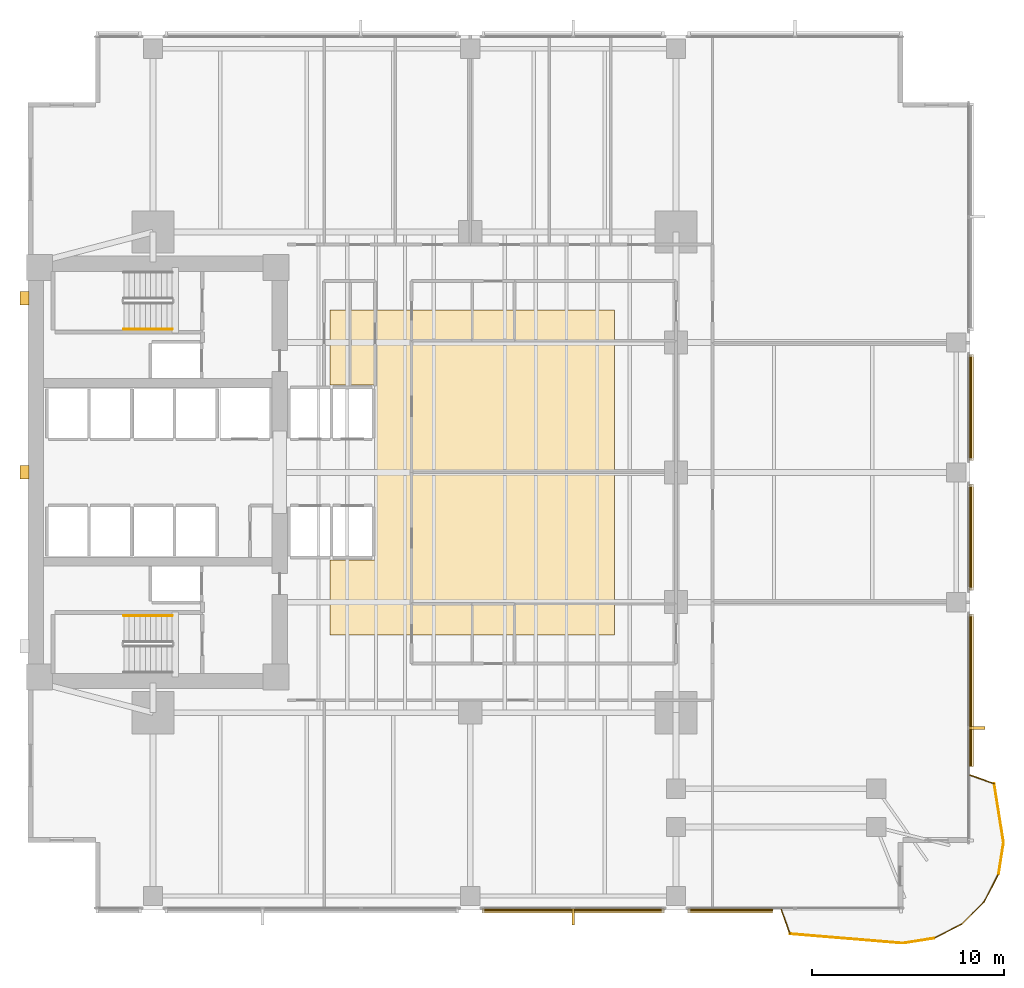
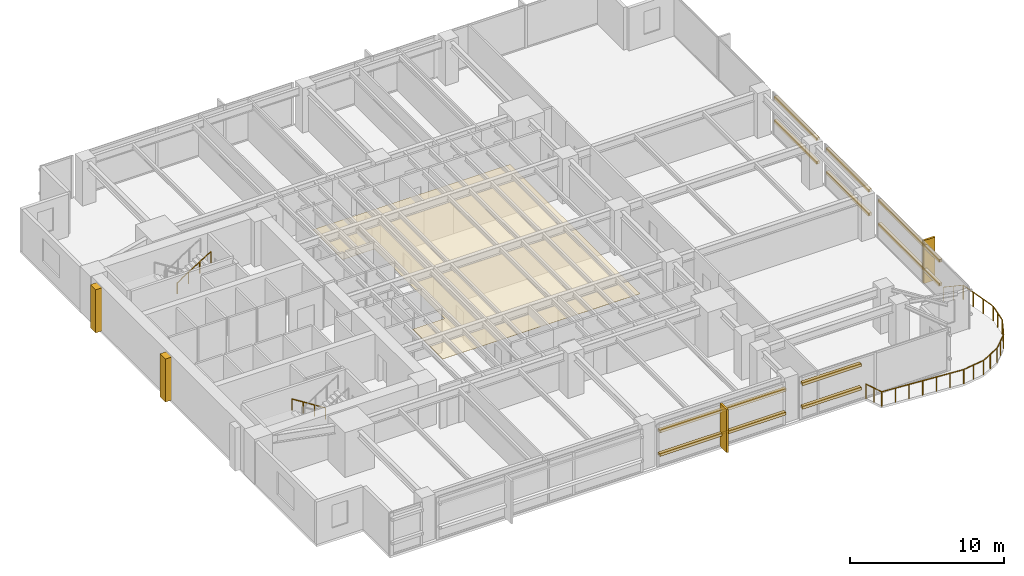
# One storey, part 13 of 15: 15 coverings, 11 railings, 10 shading devices.
"""IFC4 building model written with IfcOpenShell, lengths in metres."""

from ifc_helpers import new_model, si_unit, direction, frame, origin, origin_2d, place, context, subcontext, project, spatial, polyline, rectangle, circle, outline, extrude, material, layer, layer_set, material_profile, profile_set, type_object, element, save


model = new_model("IFC4")

# Units and contexts
model_context = context("Model", 3, precision=1e-05, world=origin(), true_north=direction((0.0, 1.0)))
body_context = subcontext(model_context, "Body", "Model", "MODEL_VIEW")
ifc_project = project(units=[si_unit("LENGTHUNIT", "METRE"), si_unit("AREAUNIT", "SQUARE_METRE"), si_unit("VOLUMEUNIT", "CUBIC_METRE"), si_unit("PLANEANGLEUNIT", "RADIAN"), si_unit("MASSUNIT", "GRAM", prefix="KILO")], contexts=[model_context])

# Site, building, storey
site_placement = place(None, origin())
site = spatial("IfcSite", under=ifc_project, at=site_placement, CompositionType="ELEMENT")
building_placement = place(site_placement, origin())
building = spatial("IfcBuilding", under=site, at=building_placement, Name="Kinhvarn Gate Tower", CompositionType="ELEMENT")
storey_placement = place(building_placement, frame((0.0, 0.0, 54.0)))
storey = spatial("IfcBuildingStorey", under=building, at=storey_placement, Name="L13", CompositionType="ELEMENT", Elevation=54.0)

# Coverings
ifc_material_1 = material(Name="Fired architectural terracotta", Category="masonry")
ifc_layer_1 = layer(ifc_material_1, 0.239990234375)
ifc_layer_set_1 = layer_set([ifc_layer_1], Name="Fired architectural terracotta")
covering_type_1 = type_object("IfcCoveringType", Name="COV-BAG-220", PredefinedType="CLADDING", material=ifc_layer_set_1)
for number, where, name in (
    (1, (0.0, 0.0, 0.93994140625), "Terracotta Horizontal Sunscreen Band TBG-220 (L13)"),
    (2, (0.0, 0.0, 2.81005859375), "Terracotta Horizontal Sunscreen Band TBG-220 (L13)"),
):
    element("IfcCovering", number, at=place(storey_placement, frame(where)), inside=storey, type_object=covering_type_1, Name=name, PredefinedType="CLADDING", context=body_context, shape_type="SweptSolid", body=[
        extrude(outline(polyline([(28.1201171875, 2.56005859375), (37.580078125, 2.56005859375), (37.580078125, 2.320068359375), (28.1201171875, 2.320068359375), (28.1201171875, 2.56005859375)])), origin(), (0.0, 0.0, 1.0), 0.219970703125),
    ])
for number, where, name in (
    (3, (0.0, 0.0, 0.93994140625), "Terracotta Horizontal Sunscreen Band TBG-220 (L13)"),
    (4, (0.0, 0.0, 2.81005859375), "Terracotta Horizontal Sunscreen Band TBG-220 (L13)"),
):
    element("IfcCovering", number, at=place(storey_placement, frame(where)), inside=storey, type_object=covering_type_1, Name=name, PredefinedType="CLADDING", context=body_context, shape_type="SweptSolid", body=[
        extrude(outline(polyline([(38.820068359375, 2.56005859375), (43.22900390625, 2.56005859375), (43.22900390625, 2.320068359375), (38.820068359375, 2.320068359375), (38.820068359375, 2.56005859375)])), origin(), (0.0, 0.0, 1.0), 0.219970703125),
    ])
for number, where, name in (
    (5, (0.0, 0.0, 0.93994140625), "Terracotta Horizontal Sunscreen Band TBG-220 (L13)"),
    (6, (0.0, 0.0, 2.81005859375), "Terracotta Horizontal Sunscreen Band TBG-220 (L13)"),
):
    element("IfcCovering", number, at=place(storey_placement, frame(where)), inside=storey, type_object=covering_type_1, Name=name, PredefinedType="CLADDING", context=body_context, shape_type="SweptSolid", body=[
        extrude(outline(polyline([(53.43994140625, 9.955078125), (53.43994140625, 17.8798828125), (53.679931640625, 17.8798828125), (53.679931640625, 9.955078125), (53.43994140625, 9.955078125)])), origin(), (0.0, 0.0, 1.0), 0.219970703125),
    ])
for number, where, name in (
    (7, (0.0, 0.0, 0.93994140625), "Terracotta Horizontal Sunscreen Band TBG-220 (L13)"),
    (8, (0.0, 0.0, 2.81005859375), "Terracotta Horizontal Sunscreen Band TBG-220 (L13)"),
):
    element("IfcCovering", number, at=place(storey_placement, frame(where)), inside=storey, type_object=covering_type_1, Name=name, PredefinedType="CLADDING", context=body_context, shape_type="SweptSolid", body=[
        extrude(outline(polyline([(53.43994140625, 19.1201171875), (53.43994140625, 24.6298828125), (53.679931640625, 24.6298828125), (53.679931640625, 19.1201171875), (53.43994140625, 19.1201171875)])), origin(), (0.0, 0.0, 1.0), 0.219970703125),
    ])
for number, where, name in (
    (9, (0.0, 0.0, 0.93994140625), "Terracotta Horizontal Sunscreen Band TBG-220 (L13)"),
    (10, (0.0, 0.0, 2.81005859375), "Terracotta Horizontal Sunscreen Band TBG-220 (L13)"),
):
    element("IfcCovering", number, at=place(storey_placement, frame(where)), inside=storey, type_object=covering_type_1, Name=name, PredefinedType="CLADDING", context=body_context, shape_type="SweptSolid", body=[
        extrude(outline(polyline([(53.43994140625, 25.8701171875), (53.43994140625, 31.3798828125), (53.679931640625, 31.3798828125), (53.679931640625, 25.8701171875), (53.43994140625, 25.8701171875)])), origin(), (0.0, 0.0, 1.0), 0.219970703125),
    ])
ifc_material_2 = material(Name="Mineral-fibre acoustic ceiling tile")
ifc_layer_2 = layer(ifc_material_2, 0.02001953125)
ifc_layer_set_2 = layer_set([ifc_layer_2], Name="Mineral-fibre acoustic ceiling tile")
covering_type_2 = type_object("IfcCoveringType", Name="COV-CEIL-20", PredefinedType="CEILING", material=ifc_layer_set_2)
covering_1_placement = place(storey_placement, frame((0.0, 0.0, 2.64990234375)))
element("IfcCovering", 11, at=covering_1_placement, inside=storey, type_object=covering_type_2, Name="Suspended Acoustic Ceiling Tile (L13-1)", PredefinedType="CEILING", context=body_context, shape_type="SweptSolid", body=[
    extrude(outline(polyline([(35.0, 33.699951171875), (35.0, 16.800048828125), (20.199951171875, 16.800048828125), (20.199951171875, 20.699951171875), (22.60009765625, 20.699951171875), (22.60009765625, 29.800048828125), (20.199951171875, 29.800048828125), (20.199951171875, 33.699951171875), (35.0, 33.699951171875)])), origin(), (0.0, 0.0, 1.0), 0.02001953125),
])
ifc_layer_3 = layer(ifc_material_1, 0.139892578125)
ifc_layer_set_3 = layer_set([ifc_layer_3], Name="Fired architectural terracotta")
covering_type_3 = type_object("IfcCoveringType", Name="COV-FIN-850", PredefinedType="CLADDING", material=ifc_layer_set_3)
covering_2_placement = place(storey_placement, frame((0.0, 0.0, -0.02001953125)))
element("IfcCovering", 12, at=covering_2_placement, inside=storey, type_object=covering_type_3, Name="Vertical Terracotta Expressive Fin TFN-850 (L13)", PredefinedType="CLADDING", context=body_context, shape_type="SweptSolid", body=[
    extrude(outline(polyline([(32.780029296875, 2.570068359375), (32.919921875, 2.570068359375), (32.919921875, 1.719970703125), (32.780029296875, 1.719970703125), (32.780029296875, 2.570068359375)])), origin(), (0.0, 0.0, 1.0), 3.409912109375),
])
covering_3_placement = place(storey_placement, frame((0.0, 0.0, -0.02001953125)))
element("IfcCovering", 13, at=covering_3_placement, inside=storey, type_object=covering_type_3, Name="Vertical Terracotta Expressive Fin TFN-850 (L13)", PredefinedType="CLADDING", context=body_context, shape_type="SweptSolid", body=[
    extrude(outline(polyline([(53.429931640625, 11.889892578125), (53.429931640625, 12.030029296875), (54.280029296875, 12.030029296875), (54.280029296875, 11.889892578125), (53.429931640625, 11.889892578125)])), origin(), (0.0, 0.0, 1.0), 3.409912109375),
])
ifc_material_3 = material(Name="Precast white architectural concrete C40/50", Category="concrete")
ifc_layer_4 = layer(ifc_material_3, 0.47998046875)
ifc_layer_set_4 = layer_set([ifc_layer_4], Name="Precast white architectural concrete C40/50")
covering_type_4 = type_object("IfcCoveringType", Name="COV-RIB-450", PredefinedType="CLADDING", material=ifc_layer_set_4)
covering_4_placement = place(storey_placement, frame((0.0, 0.0, -0.02001953125)))
element("IfcCovering", 14, at=covering_4_placement, inside=storey, type_object=covering_type_4, Name="West Core Sculptural Concrete Relief Rib CRB-450 (L13)", PredefinedType="CLADDING", context=body_context, shape_type="SweptSolid", body=[
    extrude(outline(polyline([(4.080078125, 24.89990234375), (4.56005859375, 24.89990234375), (4.56005859375, 25.60009765625), (4.080078125, 25.60009765625), (4.080078125, 24.89990234375)])), origin(), (0.0, 0.0, 1.0), 3.409912109375),
])
covering_5_placement = place(storey_placement, frame((0.0, 0.0, -0.02001953125)))
element("IfcCovering", 15, at=covering_5_placement, inside=storey, type_object=covering_type_4, Name="West Core Sculptural Concrete Relief Rib CRB-450 (L13)", PredefinedType="CLADDING", context=body_context, shape_type="SweptSolid", body=[
    extrude(outline(polyline([(4.080078125, 33.949951171875), (4.56005859375, 33.949951171875), (4.56005859375, 34.64990234375), (4.080078125, 34.64990234375), (4.080078125, 33.949951171875)])), origin(), (0.0, 0.0, 1.0), 3.409912109375),
])

# Railings
ifc_material_4 = material(Name="Clear low-e double glazing", Category="glass")
railing_type_1 = type_object("IfcRailingType", Name="RL-BAL-1150", PredefinedType="BALUSTRADE", material=ifc_material_4)
railing_1_placement = place(storey_placement, frame((43.678955078125, 2.5, 0.0)))
element("IfcRailing", 16, at=railing_1_placement, inside=storey, type_object=railing_type_1, Name="S-Carve Balcony Guardrail Seg 1 (L13)", PredefinedType="BALUSTRADE", context=body_context, shape_type="SweptSolid", body=[
    extrude(circle(Radius=0.02392578125, at=origin_2d()), frame((0.0, 0.0, 1.1259765625), z_axis=(0.338569845219, -0.94094126273, 0.0), x_axis=(0.94094126273, 0.338569845219, 0.0)), (0.0, 0.0, 1.0), 1.328857421875),
    extrude(circle(Radius=0.02099609375, at=origin_2d()), origin(), (0.0, 0.0, 1.0), 1.101806640625),
    extrude(circle(Radius=0.02099609375, at=origin_2d()), frame((0.22509765625, -0.625244140625, 0.0)), (0.0, 0.0, 1.0), 1.101806640625),
    extrude(circle(Radius=0.02099609375, at=origin_2d()), frame((0.449951171875, -1.25048828125, 0.0)), (0.0, 0.0, 1.0), 1.101806640625),
])
railing_2_placement = place(storey_placement, frame((44.12890625, 1.24951171875, 0.0)))
element("IfcRailing", 17, at=railing_2_placement, inside=storey, type_object=railing_type_1, Name="S-Carve Balcony Guardrail Seg 2 (L13)", PredefinedType="BALUSTRADE", context=body_context, shape_type="SweptSolid", body=[
    extrude(circle(Radius=0.02392578125, at=origin_2d()), frame((0.0, 0.0, 1.1259765625), z_axis=(0.996583381402, -0.082592759445, 0.0), x_axis=(0.082592759445, 0.996583381402, 0.0)), (0.0, 0.0, 1.0), 5.89111328125),
    extrude(circle(Radius=0.02099609375, at=origin_2d()), origin(), (0.0, 0.0, 1.0), 1.101806640625),
    extrude(circle(Radius=0.02099609375, at=origin_2d()), frame((0.978515625, -0.0810546875, 0.0)), (0.0, 0.0, 1.0), 1.101806640625),
    extrude(circle(Radius=0.02099609375, at=origin_2d()), frame((1.95703125, -0.162109375, 0.0)), (0.0, 0.0, 1.0), 1.101806640625),
    extrude(circle(Radius=0.02099609375, at=origin_2d()), frame((2.935546875, -0.2431640625, 0.0)), (0.0, 0.0, 1.0), 1.101806640625),
    extrude(circle(Radius=0.02099609375, at=origin_2d()), frame((3.9140625, -0.324462890625, 0.0)), (0.0, 0.0, 1.0), 1.101806640625),
    extrude(circle(Radius=0.02099609375, at=origin_2d()), frame((4.892578125, -0.405517578125, 0.0)), (0.0, 0.0, 1.0), 1.101806640625),
    extrude(circle(Radius=0.02099609375, at=origin_2d()), frame((5.87109375, -0.486572265625, 0.0)), (0.0, 0.0, 1.0), 1.101806640625),
])
railing_3_placement = place(storey_placement, frame((50.0, 0.762939453125, 0.0)))
element("IfcRailing", 18, at=railing_3_placement, inside=storey, type_object=railing_type_1, Name="S-Carve Balcony Guardrail Seg 3 (L13)", PredefinedType="BALUSTRADE", context=body_context, shape_type="SweptSolid", body=[
    extrude(circle(Radius=0.02392578125, at=origin_2d()), frame((0.0, 0.0, 1.1259765625), z_axis=(0.987686739548, 0.156444573318, 0.0), x_axis=(-0.156444573318, 0.987686739548, 0.0)), (0.0, 0.0, 1.0), 1.638671875),
    extrude(circle(Radius=0.02099609375, at=origin_2d()), origin(), (0.0, 0.0, 1.0), 1.101806640625),
    extrude(circle(Radius=0.02099609375, at=origin_2d()), frame((0.80908203125, 0.128173828125, 0.0)), (0.0, 0.0, 1.0), 1.101806640625),
    extrude(circle(Radius=0.02099609375, at=origin_2d()), frame((1.618408203125, 0.25634765625, 0.0)), (0.0, 0.0, 1.0), 1.101806640625),
])
railing_4_placement = place(storey_placement, frame((51.618408203125, 1.019287109375, 0.0)))
element("IfcRailing", 19, at=railing_4_placement, inside=storey, type_object=railing_type_1, Name="S-Carve Balcony Guardrail Seg 4 (L13)", PredefinedType="BALUSTRADE", context=body_context, shape_type="SweptSolid", body=[
    extrude(circle(Radius=0.02392578125, at=origin_2d()), frame((0.0, 0.0, 1.1259765625), z_axis=(0.890973529043, 0.454055250542, 0.0), x_axis=(-0.454055250542, 0.890973529043, 0.0)), (0.0, 0.0, 1.0), 1.638427734375),
    extrude(circle(Radius=0.02099609375, at=origin_2d()), origin(), (0.0, 0.0, 1.0), 1.101806640625),
    extrude(circle(Radius=0.02099609375, at=origin_2d()), frame((0.72998046875, 0.3720703125, 0.0)), (0.0, 0.0, 1.0), 1.101806640625),
    extrude(circle(Radius=0.02099609375, at=origin_2d()), frame((1.459716796875, 0.743896484375, 0.0)), (0.0, 0.0, 1.0), 1.101806640625),
])
railing_5_placement = place(storey_placement, frame((53.078125, 1.76318359375, 0.0)))
element("IfcRailing", 20, at=railing_5_placement, inside=storey, type_object=railing_type_1, Name="S-Carve Balcony Guardrail Seg 5 (L13)", PredefinedType="BALUSTRADE", context=body_context, shape_type="SweptSolid", body=[
    extrude(circle(Radius=0.02392578125, at=origin_2d()), frame((0.0, 0.0, 1.1259765625), z_axis=(0.707106781187, 0.707106781187, 0.0), x_axis=(-0.707106781187, 0.707106781187, 0.0)), (0.0, 0.0, 1.0), 1.638671875),
    extrude(circle(Radius=0.02099609375, at=origin_2d()), origin(), (0.0, 0.0, 1.0), 1.101806640625),
    extrude(circle(Radius=0.02099609375, at=origin_2d()), frame((0.579345703125, 0.579345703125, 0.0)), (0.0, 0.0, 1.0), 1.101806640625),
    extrude(circle(Radius=0.02099609375, at=origin_2d()), frame((1.15869140625, 1.15869140625, 0.0)), (0.0, 0.0, 1.0), 1.101806640625),
])
railing_6_placement = place(storey_placement, frame((54.23681640625, 2.921875, 0.0)))
element("IfcRailing", 21, at=railing_6_placement, inside=storey, type_object=railing_type_1, Name="S-Carve Balcony Guardrail Seg 6 (L13)", PredefinedType="BALUSTRADE", context=body_context, shape_type="SweptSolid", body=[
    extrude(circle(Radius=0.02392578125, at=origin_2d()), frame((0.0, 0.0, 1.1259765625), z_axis=(0.454055250542, 0.890973529043, 0.0), x_axis=(-0.890973529043, 0.454055250542, 0.0)), (0.0, 0.0, 1.0), 1.638427734375),
    extrude(circle(Radius=0.02099609375, at=origin_2d()), origin(), (0.0, 0.0, 1.0), 1.101806640625),
    extrude(circle(Radius=0.02099609375, at=origin_2d()), frame((0.3720703125, 0.72998046875, 0.0)), (0.0, 0.0, 1.0), 1.101806640625),
    extrude(circle(Radius=0.02099609375, at=origin_2d()), frame((0.743896484375, 1.459716796875, 0.0)), (0.0, 0.0, 1.0), 1.101806640625),
])
railing_7_placement = place(storey_placement, frame((54.980712890625, 4.381591796875, 0.0)))
element("IfcRailing", 22, at=railing_7_placement, inside=storey, type_object=railing_type_1, Name="S-Carve Balcony Guardrail Seg 7 (L13)", PredefinedType="BALUSTRADE", context=body_context, shape_type="SweptSolid", body=[
    extrude(circle(Radius=0.02392578125, at=origin_2d()), frame((0.0, 0.0, 1.1259765625), z_axis=(0.156444573318, 0.987686739548, 0.0), x_axis=(-0.987686739548, 0.156444573318, 0.0)), (0.0, 0.0, 1.0), 1.638671875),
    extrude(circle(Radius=0.02099609375, at=origin_2d()), origin(), (0.0, 0.0, 1.0), 1.101806640625),
    extrude(circle(Radius=0.02099609375, at=origin_2d()), frame((0.128173828125, 0.80908203125, 0.0)), (0.0, 0.0, 1.0), 1.101806640625),
    extrude(circle(Radius=0.02099609375, at=origin_2d()), frame((0.25634765625, 1.618408203125, 0.0)), (0.0, 0.0, 1.0), 1.101806640625),
])
railing_8_placement = place(storey_placement, frame((55.237060546875, 6.0, 0.0)))
element("IfcRailing", 23, at=railing_8_placement, inside=storey, type_object=railing_type_1, Name="S-Carve Balcony Guardrail Seg 8 (L13)", PredefinedType="BALUSTRADE", context=body_context, shape_type="SweptSolid", body=[
    extrude(circle(Radius=0.02392578125, at=origin_2d()), frame((0.0, 0.0, 1.1259765625), z_axis=(-0.157291736292, 0.987552180745, 0.0), x_axis=(-0.987552180745, -0.157291736292, 0.0)), (0.0, 0.0, 1.0), 3.093505859375),
    extrude(circle(Radius=0.02099609375, at=origin_2d()), origin(), (0.0, 0.0, 1.0), 1.101806640625),
    extrude(circle(Radius=0.02099609375, at=origin_2d()), frame((-0.162109375, 1.018310546875, 0.0)), (0.0, 0.0, 1.0), 1.101806640625),
    extrude(circle(Radius=0.02099609375, at=origin_2d()), frame((-0.324462890625, 2.03662109375, 0.0)), (0.0, 0.0, 1.0), 1.101806640625),
    extrude(circle(Radius=0.02099609375, at=origin_2d()), frame((-0.486572265625, 3.054931640625, 0.0)), (0.0, 0.0, 1.0), 1.101806640625),
])
railing_9_placement = place(storey_placement, frame((54.75048828125, 9.054931640625, 0.0)))
element("IfcRailing", 24, at=railing_9_placement, inside=storey, type_object=railing_type_1, Name="S-Carve Balcony Guardrail Seg 9 (L13)", PredefinedType="BALUSTRADE", context=body_context, shape_type="SweptSolid", body=[
    extrude(circle(Radius=0.02392578125, at=origin_2d()), frame((0.0, 0.0, 1.1259765625), z_axis=(-0.94094126273, 0.338569845219, 0.0), x_axis=(-0.338569845219, -0.94094126273, 0.0)), (0.0, 0.0, 1.0), 1.328857421875),
    extrude(circle(Radius=0.02099609375, at=origin_2d()), origin(), (0.0, 0.0, 1.0), 1.101806640625),
    extrude(circle(Radius=0.02099609375, at=origin_2d()), frame((-0.625244140625, 0.22509765625, 0.0)), (0.0, 0.0, 1.0), 1.101806640625),
    extrude(circle(Radius=0.02099609375, at=origin_2d()), frame((-1.25048828125, 0.449951171875, 0.0)), (0.0, 0.0, 1.0), 1.101806640625),
])
ifc_material_5 = material(Name="Steel S355", Category="steel")
railing_type_2 = type_object("IfcRailingType", Name="RL-ST-HND", PredefinedType="HANDRAIL", material=ifc_material_5)
railing_10_placement = place(storey_placement, frame((12.0, 17.800048828125, 0.177490234375)))
element("IfcRailing", 25, at=railing_10_placement, inside=storey, type_object=railing_type_2, Name="L13 ST1 stair handrail 1", PredefinedType="HANDRAIL", context=body_context, shape_type="SweptSolid", body=[
    extrude(circle(Radius=0.02392578125, at=origin_2d()), frame((0.0, 0.0, 0.8759765625), z_axis=(-0.84460694969, 0.0, 0.535386869969), x_axis=(0.0, -1.0, 0.0)), (0.0, 0.0, 1.0), 2.983642578125),
    extrude(circle(Radius=0.02099609375, at=origin_2d()), origin(), (0.0, 0.0, 1.0), 0.851806640625),
    extrude(circle(Radius=0.02099609375, at=origin_2d()), frame((-0.840087890625, 0.0, 0.532470703125)), (0.0, 0.0, 1.0), 0.851806640625),
    extrude(circle(Radius=0.02099609375, at=origin_2d()), frame((-1.679931640625, 0.0, 1.06494140625)), (0.0, 0.0, 1.0), 0.851806640625),
    extrude(circle(Radius=0.02099609375, at=origin_2d()), frame((-2.52001953125, 0.0, 1.597412109375)), (0.0, 0.0, 1.0), 0.851806640625),
])
railing_11_placement = place(storey_placement, frame((9.47998046875, 32.699951171875, 1.952392578125)))
element("IfcRailing", 26, at=railing_11_placement, inside=storey, type_object=railing_type_2, Name="L13 ST2 stair handrail 2", PredefinedType="HANDRAIL", context=body_context, shape_type="SweptSolid", body=[
    extrude(circle(Radius=0.02392578125, at=origin_2d()), frame((0.0, 0.0, 0.8759765625), z_axis=(0.84456994832, 0.0, 0.535445237532), x_axis=(0.0, 1.0, 0.0)), (0.0, 0.0, 1.0), 2.98388671875),
    extrude(circle(Radius=0.02099609375, at=origin_2d()), origin(), (0.0, 0.0, 1.0), 0.851806640625),
    extrude(circle(Radius=0.02099609375, at=origin_2d()), frame((0.840087890625, 0.0, 0.532470703125)), (0.0, 0.0, 1.0), 0.851806640625),
    extrude(circle(Radius=0.02099609375, at=origin_2d()), frame((1.679931640625, 0.0, 1.065185546875)), (0.0, 0.0, 1.0), 0.851806640625),
    extrude(circle(Radius=0.02099609375, at=origin_2d()), frame((2.52001953125, 0.0, 1.59765625)), (0.0, 0.0, 1.0), 0.851806640625),
])

# Shading devices
ifc_material_profile = material_profile(ifc_material_1, rectangle(XDim=0.06005859375, YDim=0.139892578125, at=origin_2d()), Name="TC 60x140")
ifc_profile_set = profile_set([ifc_material_profile], Name="Fired architectural terracotta")
shading_device_type = type_object("IfcShadingDeviceType", Name="SHD-BAG-180", PredefinedType="USERDEFINED", material=ifc_profile_set)
for number, where, z_axis, x_axis, name in (
    (27, (28.1201171875, 2.485107421875, 1.050048828125), (1.0, 0.0, 0.0), (0.0, 1.0, 0.0), "Fired Terracotta Baguette Screen Rod 60x140 mm (L13)"),
    (28, (28.1201171875, 2.485107421875, 2.919921875), (1.0, 0.0, 0.0), (0.0, 1.0, 0.0), "Fired Terracotta Baguette Screen Rod 60x140 mm (L13)"),
):
    element("IfcShadingDevice", number, at=place(storey_placement, frame(where, z_axis=z_axis, x_axis=x_axis)), inside=storey, type_object=shading_device_type, Name=name, ObjectType="BAGUETTE", PredefinedType="USERDEFINED", context=body_context, shape_type="SweptSolid", body=[
        extrude(rectangle(XDim=0.06005859375, YDim=0.139892578125, at=origin_2d()), origin(), (0.0, 0.0, 1.0), 9.4599609375),
    ])
for number, where, z_axis, x_axis, name in (
    (29, (38.820068359375, 2.485107421875, 1.050048828125), (1.0, 0.0, 0.0), (0.0, 1.0, 0.0), "Fired Terracotta Baguette Screen Rod 60x140 mm (L13)"),
    (30, (38.820068359375, 2.485107421875, 2.919921875), (1.0, 0.0, 0.0), (0.0, 1.0, 0.0), "Fired Terracotta Baguette Screen Rod 60x140 mm (L13)"),
):
    element("IfcShadingDevice", number, at=place(storey_placement, frame(where, z_axis=z_axis, x_axis=x_axis)), inside=storey, type_object=shading_device_type, Name=name, ObjectType="BAGUETTE", PredefinedType="USERDEFINED", context=body_context, shape_type="SweptSolid", body=[
        extrude(rectangle(XDim=0.06005859375, YDim=0.139892578125, at=origin_2d()), origin(), (0.0, 0.0, 1.0), 4.408935546875),
    ])
for number, where, z_axis, x_axis, name in (
    (31, (53.514892578125, 9.955078125, 1.050048828125), (0.0, 1.0, 0.0), (-1.0, 0.0, 0.0), "Fired Terracotta Baguette Screen Rod 60x140 mm (L13)"),
    (32, (53.514892578125, 9.955078125, 2.919921875), (0.0, 1.0, 0.0), (-1.0, 0.0, 0.0), "Fired Terracotta Baguette Screen Rod 60x140 mm (L13)"),
):
    element("IfcShadingDevice", number, at=place(storey_placement, frame(where, z_axis=z_axis, x_axis=x_axis)), inside=storey, type_object=shading_device_type, Name=name, ObjectType="BAGUETTE", PredefinedType="USERDEFINED", context=body_context, shape_type="SweptSolid", body=[
        extrude(rectangle(XDim=0.06005859375, YDim=0.139892578125, at=origin_2d()), origin(), (0.0, 0.0, 1.0), 7.9248046875),
    ])
for number, where, z_axis, x_axis, name in (
    (33, (53.514892578125, 19.1201171875, 1.050048828125), (0.0, 1.0, 0.0), (-1.0, 0.0, 0.0), "Fired Terracotta Baguette Screen Rod 60x140 mm (L13)"),
    (34, (53.514892578125, 19.1201171875, 2.919921875), (0.0, 1.0, 0.0), (-1.0, 0.0, 0.0), "Fired Terracotta Baguette Screen Rod 60x140 mm (L13)"),
    (35, (53.514892578125, 25.8701171875, 1.050048828125), (0.0, 1.0, 0.0), (-1.0, 0.0, 0.0), "Fired Terracotta Baguette Screen Rod 60x140 mm (L13)"),
    (36, (53.514892578125, 25.8701171875, 2.919921875), (0.0, 1.0, 0.0), (-1.0, 0.0, 0.0), "Fired Terracotta Baguette Screen Rod 60x140 mm (L13)"),
):
    element("IfcShadingDevice", number, at=place(storey_placement, frame(where, z_axis=z_axis, x_axis=x_axis)), inside=storey, type_object=shading_device_type, Name=name, ObjectType="BAGUETTE", PredefinedType="USERDEFINED", context=body_context, shape_type="SweptSolid", body=[
        extrude(rectangle(XDim=0.06005859375, YDim=0.139892578125, at=origin_2d()), origin(), (0.0, 0.0, 1.0), 5.509765625),
    ])

save(model, "model.ifc")
